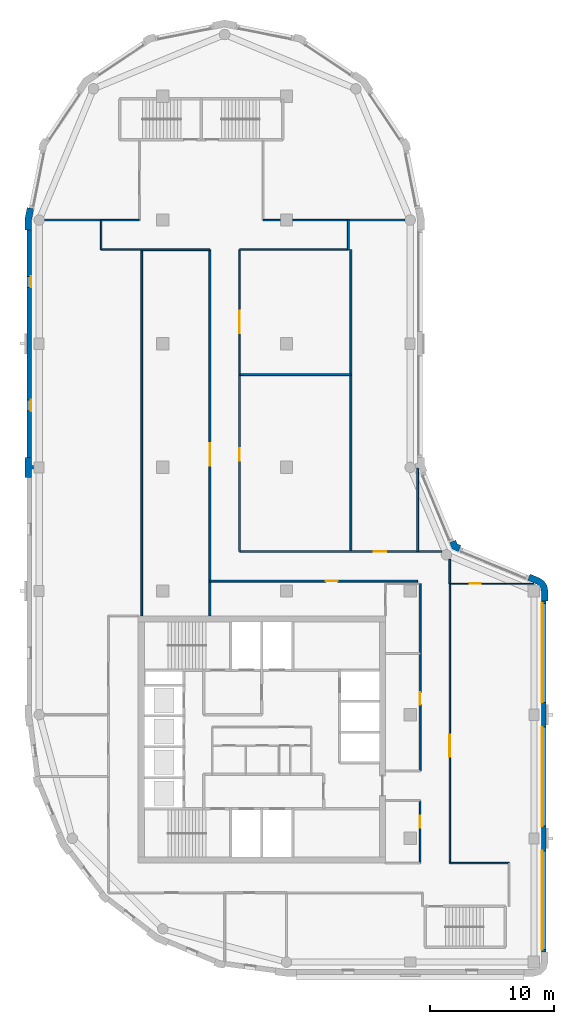
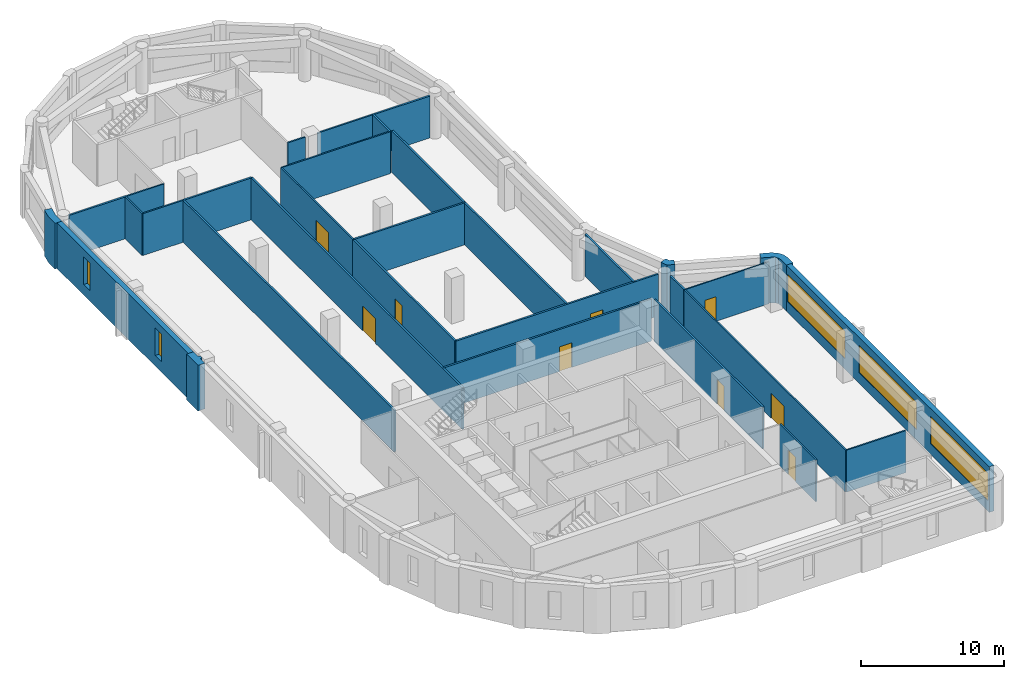
# One storey, part 4 of 8: 31 walls, 9 doors, 5 windows, 14 openings.
"""IFC4 building model written with IfcOpenShell, lengths in metres."""

from ifc_helpers import new_model, si_unit, direction, frame, frame_2d, origin, place, context, subcontext, project, spatial, polyline, rectangle, outline, extrude, material, layer, layer_set, type_object, element, fill, save


model = new_model("IFC4")

# Units and contexts
model_context = context("Model", 3, precision=1e-05, world=origin(), true_north=direction((0.0, 1.0)))
body_context = subcontext(model_context, "Body", "Model", "MODEL_VIEW")
ifc_project = project(units=[si_unit("LENGTHUNIT", "METRE"), si_unit("AREAUNIT", "SQUARE_METRE"), si_unit("VOLUMEUNIT", "CUBIC_METRE"), si_unit("PLANEANGLEUNIT", "RADIAN"), si_unit("MASSUNIT", "GRAM", prefix="KILO")], contexts=[model_context])

# Site, building, storey
site_placement = place(None, origin())
site = spatial("IfcSite", under=ifc_project, at=site_placement, CompositionType="ELEMENT")
building_placement = place(site_placement, origin())
building = spatial("IfcBuilding", under=site, at=building_placement, Name="Qaws Garden Tower", CompositionType="ELEMENT")
storey_placement = place(building_placement, frame((0.0, 0.0, 309.89990234375)))
storey = spatial("IfcBuildingStorey", under=building, at=storey_placement, Name="L75", CompositionType="ELEMENT", Elevation=309.89990234375)

# Wall
ifc_material_1 = material(Name="Buff clay facing brick masonry", Category="masonry")
ifc_layer_1 = layer(ifc_material_1, 0.550048828125)
ifc_layer_set_1 = layer_set([ifc_layer_1], Name="Buff clay facing brick masonry")
wall_type_1 = type_object("IfcWallType", Name="Buff brick corner pier 550 x 2400", PredefinedType="SOLIDWALL", material=ifc_layer_set_1)
placement = place(storey_placement, origin())
element("IfcWall", 1, at=placement, inside=storey, type_object=wall_type_1, Name="E-L75-pier-05", PredefinedType="SOLIDWALL", context=body_context, shape_type="SweptSolid", body=[
    extrude(outline(polyline([(41.0, 29.199951171875), (41.14990234375, 29.199951171875), (41.14990234375, 30.0), (41.0625, 30.440185546875), (40.813232421875, 30.813232421875), (40.440185546875, 31.0625), (39.700927734375, 31.36865234375), (39.6435546875, 31.22998046875), (39.490478515625, 30.860595703125), (40.2294921875, 30.554443359375), (40.42431640625, 30.42431640625), (40.554443359375, 30.2294921875), (40.60009765625, 30.0), (40.60009765625, 29.199951171875), (41.0, 29.199951171875)])), origin(), (0.0, 0.0, 1.0), 3.900146484375),
])

# Wall, openings, windows
ifc_material_2 = material(Name="Buff clay facing brick masonry", Category="masonry")
ifc_layer_2 = layer(ifc_material_2, 0.39990234375)
ifc_layer_set_2 = layer_set([ifc_layer_2], Name="Buff clay facing brick masonry")
wall_type_2 = type_object("IfcWallType", Name="Buff brick infill wall 400", PredefinedType="SOLIDWALL", material=ifc_layer_set_2)
wall_2_placement = place(storey_placement, frame((40.800048828125, 0.800048828125, 0.0), z_axis=(0.0, 0.0, 1.0), x_axis=(0.0, 1.0, 0.0)))
wall_2 = element("IfcWall", 2, at=wall_2_placement, inside=storey, type_object=wall_type_2, Name="E-L75-infill-02", PredefinedType="SOLIDWALL", context=body_context, shape_type="SweptSolid", body=[
    extrude(rectangle(XDim=28.39990234375, YDim=0.39990234375, at=frame_2d((14.199951171875, 0.0))), origin(), (0.0, 0.0, 1.0), 3.900146484375),
])
opening_1_placement = place(wall_2_placement, frame((0.199951171875, 0.0, 0.89990234375)))
opening_1 = element("IfcOpeningElement", 3, at=opening_1_placement, cuts=wall_2, Name="Opening W01", PredefinedType="OPENING", context=body_context, shape_type="SweptSolid", body=[
    extrude(rectangle(XDim=8.0, YDim=2.35009765625, at=frame_2d((4.0, 1.175048828125))), frame((0.0, 0.2099609375, 0.0), z_axis=(0.0, -1.0, 0.0), x_axis=(1.0, 0.0, 0.0)), (0.0, 0.0, 1.0), 0.419921875),
])
opening_2_placement = place(wall_2_placement, frame((10.199951171875, 0.0, 0.89990234375)))
opening_2 = element("IfcOpeningElement", 4, at=opening_2_placement, cuts=wall_2, Name="Opening W01", PredefinedType="OPENING", context=body_context, shape_type="SweptSolid", body=[
    extrude(rectangle(XDim=8.0, YDim=2.35009765625, at=frame_2d((4.0, 1.175048828125))), frame((0.0, 0.2099609375, 0.0), z_axis=(0.0, -1.0, 0.0), x_axis=(1.0, 0.0, 0.0)), (0.0, 0.0, 1.0), 0.419921875),
])
opening_3_placement = place(wall_2_placement, frame((20.199951171875, 0.0, 0.89990234375)))
opening_3 = element("IfcOpeningElement", 5, at=opening_3_placement, cuts=wall_2, Name="Opening W01", PredefinedType="OPENING", context=body_context, shape_type="SweptSolid", body=[
    extrude(rectangle(XDim=8.0, YDim=2.35009765625, at=frame_2d((4.0, 1.175048828125))), frame((0.0, 0.2099609375, 0.0), z_axis=(0.0, -1.0, 0.0), x_axis=(1.0, 0.0, 0.0)), (0.0, 0.0, 1.0), 0.419921875),
])
ifc_material_3 = material(Name="Aluminium framed window, clear glazing", Category="aluminium")
window_type_1 = type_object("IfcWindowType", Name="Ribbon window 8000 x 2350", PartitioningType="DOUBLE_PANEL_VERTICAL", PredefinedType="WINDOW", material=ifc_material_3)
window_1_placement = place(opening_1_placement, origin())
window_1 = element("IfcWindow", 6, at=window_1_placement, inside=storey, type_object=window_type_1, Name="E-L75-window-02-0", OverallHeight=2.35009765625, OverallWidth=8.0, PartitioningType="SINGLE_PANEL", PredefinedType="WINDOW", context=body_context, shape_type="SweptSolid", body=[
    extrude(rectangle(XDim=8.0, YDim=2.35009765625, at=frame_2d((4.0, 1.175048828125))), frame((0.0, 0.159912109375, 0.0), z_axis=(0.0, -1.0, 0.0), x_axis=(1.0, 0.0, 0.0)), (0.0, 0.0, 1.0), 0.06005859375),
])
fill(opening_1, window_1)
window_2_placement = place(opening_2_placement, origin())
window_2 = element("IfcWindow", 7, at=window_2_placement, inside=storey, type_object=window_type_1, Name="E-L75-window-03-0", OverallHeight=2.35009765625, OverallWidth=8.0, PartitioningType="SINGLE_PANEL", PredefinedType="WINDOW", context=body_context, shape_type="SweptSolid", body=[
    extrude(rectangle(XDim=8.0, YDim=2.35009765625, at=frame_2d((4.0, 1.175048828125))), frame((0.0, 0.159912109375, 0.0), z_axis=(0.0, -1.0, 0.0), x_axis=(1.0, 0.0, 0.0)), (0.0, 0.0, 1.0), 0.06005859375),
])
fill(opening_2, window_2)
window_3_placement = place(opening_3_placement, origin())
window_3 = element("IfcWindow", 8, at=window_3_placement, inside=storey, type_object=window_type_1, Name="E-L75-window-04-0", OverallHeight=2.35009765625, OverallWidth=8.0, PartitioningType="SINGLE_PANEL", PredefinedType="WINDOW", context=body_context, shape_type="SweptSolid", body=[
    extrude(rectangle(XDim=8.0, YDim=2.35009765625, at=frame_2d((4.0, 1.175048828125))), frame((0.0, 0.159912109375, 0.0), z_axis=(0.0, -1.0, 0.0), x_axis=(1.0, 0.0, 0.0)), (0.0, 0.0, 1.0), 0.06005859375),
])
fill(opening_3, window_3)

wall_3_placement = place(storey_placement, frame((-0.800048828125, 59.199951171875, 0.0), z_axis=(0.0, 0.0, 1.0), x_axis=(0.0, -1.0, 0.0)))
wall_3 = element("IfcWall", 9, at=wall_3_placement, inside=storey, type_object=wall_type_2, Name="E-L75-infill-17", PredefinedType="SOLIDWALL", context=body_context, shape_type="SweptSolid", body=[
    extrude(rectangle(XDim=18.39990234375, YDim=0.39990234375, at=frame_2d((9.199951171875, 0.0))), origin(), (0.0, 0.0, 1.0), 3.900146484375),
])
opening_4_placement = place(wall_3_placement, frame((3.75, 0.0, 0.89990234375)))
opening_4 = element("IfcOpeningElement", 10, at=opening_4_placement, cuts=wall_3, Name="Opening W09", PredefinedType="OPENING", context=body_context, shape_type="SweptSolid", body=[
    extrude(rectangle(XDim=0.89990234375, YDim=2.35009765625, at=frame_2d((0.449951171875, 1.175048828125))), frame((0.0, 0.2099609375, 0.0), z_axis=(0.0, -1.0, 0.0), x_axis=(1.0, 0.0, 0.0)), (0.0, 0.0, 1.0), 0.419921875),
])
opening_5_placement = place(wall_3_placement, frame((13.75, 0.0, 0.89990234375)))
opening_5 = element("IfcOpeningElement", 11, at=opening_5_placement, cuts=wall_3, Name="Opening W09", PredefinedType="OPENING", context=body_context, shape_type="SweptSolid", body=[
    extrude(rectangle(XDim=0.89990234375, YDim=2.35009765625, at=frame_2d((0.449951171875, 1.175048828125))), frame((0.0, 0.2099609375, 0.0), z_axis=(0.0, -1.0, 0.0), x_axis=(1.0, 0.0, 0.0)), (0.0, 0.0, 1.0), 0.419921875),
])
ifc_material_4 = material(Name="Aluminium framed window, clear glazing", Category="aluminium")
window_type_2 = type_object("IfcWindowType", Name="Slit window 900 x 2350", PartitioningType="SINGLE_PANEL", PredefinedType="WINDOW", material=ifc_material_4)
window_4_placement = place(opening_4_placement, origin())
window_4 = element("IfcWindow", 12, at=window_4_placement, inside=storey, type_object=window_type_2, Name="E-L75-window-17-0", OverallHeight=2.35009765625, OverallWidth=0.89990234375, PartitioningType="SINGLE_PANEL", PredefinedType="WINDOW", context=body_context, shape_type="SweptSolid", body=[
    extrude(rectangle(XDim=0.89990234375, YDim=2.35009765625, at=frame_2d((0.449951171875, 1.175048828125))), frame((0.0, 0.159912109375, 0.0), z_axis=(0.0, -1.0, 0.0), x_axis=(1.0, 0.0, 0.0)), (0.0, 0.0, 1.0), 0.06005859375),
])
fill(opening_4, window_4)
window_5_placement = place(opening_5_placement, origin())
window_5 = element("IfcWindow", 13, at=window_5_placement, inside=storey, type_object=window_type_2, Name="E-L75-window-18-0", OverallHeight=2.35009765625, OverallWidth=0.89990234375, PartitioningType="SINGLE_PANEL", PredefinedType="WINDOW", context=body_context, shape_type="SweptSolid", body=[
    extrude(rectangle(XDim=0.89990234375, YDim=2.35009765625, at=frame_2d((0.449951171875, 1.175048828125))), frame((0.0, 0.159912109375, 0.0), z_axis=(0.0, -1.0, 0.0), x_axis=(1.0, 0.0, 0.0)), (0.0, 0.0, 1.0), 0.06005859375),
])
fill(opening_5, window_5)

# Walls
ifc_material_5 = material(Name="Buff clay facing brick masonry", Category="masonry")
ifc_layer_3 = layer(ifc_material_5, 0.550048828125)
ifc_layer_set_3 = layer_set([ifc_layer_3], Name="Buff clay facing brick masonry")
wall_type_3 = type_object("IfcWallType", Name="Buff brick pier 550 x 1600", PredefinedType="SOLIDWALL", material=ifc_layer_set_3)
element("IfcWall", 14, at=placement, inside=storey, type_object=wall_type_3, Name="E-L75-pier-06", PredefinedType="SOLIDWALL", context=body_context, shape_type="SweptSolid", body=[
    extrude(outline(polyline([(34.05078125, 33.546630859375), (34.108154296875, 33.685302734375), (33.80908203125, 33.80908203125), (33.685302734375, 34.108154296875), (33.546630859375, 34.05078125), (33.177001953125, 33.897705078125), (33.38818359375, 33.38818359375), (33.897705078125, 33.177001953125), (34.05078125, 33.546630859375)])), origin(), (0.0, 0.0, 1.0), 3.900146484375),
])
element("IfcWall", 15, at=placement, inside=storey, type_object=wall_type_3, Name="E-L75-pier-17", PredefinedType="SOLIDWALL", context=body_context, shape_type="SweptSolid", body=[
    extrude(outline(polyline([(-0.82470703125, 60.979736328125), (-0.971923828125, 61.009033203125), (-1.14990234375, 60.11328125), (-1.14990234375, 59.199951171875), (-1.0, 59.199951171875), (-0.60009765625, 59.199951171875), (-0.60009765625, 60.05908203125), (-0.432373046875, 60.901611328125), (-0.82470703125, 60.979736328125)])), origin(), (0.0, 0.0, 1.0), 3.900146484375),
])
element("IfcWall", 16, at=placement, inside=storey, type_object=wall_type_3, Name="E-L75-pier-19", PredefinedType="SOLIDWALL", context=body_context, shape_type="SweptSolid", body=[
    extrude(outline(polyline([(-0.60009765625, 39.199951171875), (-0.60009765625, 39.85009765625), (-0.449951171875, 39.85009765625), (-0.449951171875, 40.14990234375), (-0.60009765625, 40.14990234375), (-0.60009765625, 40.800048828125), (-1.0, 40.800048828125), (-1.14990234375, 40.800048828125), (-1.14990234375, 40.0), (-1.14990234375, 39.199951171875), (-1.0, 39.199951171875), (-0.60009765625, 39.199951171875)])), origin(), (0.0, 0.0, 1.0), 3.900146484375),
])
ifc_material_6 = material(Name="Glass and aluminium framing", Category="aluminium")
ifc_layer_4 = layer(ifc_material_6, 0.1201171875)
ifc_layer_set_4 = layer_set([ifc_layer_4], Name="Glass and aluminium framing")
wall_type_4 = type_object("IfcWallType", Name="GLAZED PARTITION 120 EI 30", PredefinedType="PARTITIONING", material=ifc_layer_set_4)
wall_7_placement = place(storey_placement, frame((5.0, 57.60009765625, 0.0), z_axis=(0.0, 0.0, 1.0), x_axis=(0.0, 1.0, 0.0)))
element("IfcWall", 17, at=wall_7_placement, inside=storey, type_object=wall_type_4, Name="O-L75-wall-026", PredefinedType="PARTITIONING", context=body_context, shape_type="SweptSolid", body=[
    extrude(rectangle(XDim=2.39990234375, YDim=0.1201171875, at=frame_2d((1.199951171875, 0.0))), origin(), (0.0, 0.0, 1.0), 3.580078125),
])

# Wall, opening, door
wall_8_placement = place(storey_placement, frame((16.199951171875, 47.5, 0.0), z_axis=(0.0, 0.0, 1.0), x_axis=(0.0, 1.0, 0.0)))
wall_8 = element("IfcWall", 18, at=wall_8_placement, inside=storey, type_object=wall_type_4, Name="O-L75-wall-030", PredefinedType="PARTITIONING", context=body_context, shape_type="SweptSolid", body=[
    extrude(rectangle(XDim=10.10009765625, YDim=0.1201171875, at=frame_2d((5.050048828125, 0.0))), origin(), (0.0, 0.0, 1.0), 3.580078125),
])
opening_6_placement = place(wall_8_placement, frame((3.35009765625, 0.0, 0.0)))
opening_6 = element("IfcOpeningElement", 19, at=opening_6_placement, cuts=wall_8, Name="Opening C704", PredefinedType="OPENING", context=body_context, shape_type="SweptSolid", body=[
    extrude(rectangle(XDim=1.800048828125, YDim=2.10009765625, at=frame_2d((0.89990234375, 1.050048828125))), frame((0.0, 0.070068359375, 0.0), z_axis=(0.0, -1.0, 0.0), x_axis=(1.0, 0.0, 0.0)), (0.0, 0.0, 1.0), 0.14013671875),
])
ifc_material_7 = material(Name="Timber door leaf", Category="wood")
door_type_1 = type_object("IfcDoorType", Name="DOUBLE DOOR 1800 X 2100", OperationType="DOUBLE_DOOR_SINGLE_SWING", PredefinedType="DOOR", material=ifc_material_7)
door_1_placement = place(opening_6_placement, frame((1.800048828125, 0.0, 0.0), z_axis=(0.0, 0.0, 1.0), x_axis=(-1.0, 0.0, 0.0)))
door_1 = element("IfcDoor", 20, at=door_1_placement, inside=storey, type_object=door_type_1, Name="O-L75-door-004", OperationType="DOUBLE_DOOR_SINGLE_SWING", OverallHeight=2.10009765625, OverallWidth=1.800048828125, PredefinedType="DOOR", context=body_context, shape_type="SweptSolid", body=[
    extrude(rectangle(XDim=1.800048828125, YDim=2.10009765625, at=frame_2d((0.89990234375, 1.050048828125))), frame((0.0, 0.02490234375, 0.0), z_axis=(0.0, -1.0, 0.0), x_axis=(1.0, 0.0, 0.0)), (0.0, 0.0, 1.0), 0.050048828125),
])
fill(opening_6, door_1)

wall_9_placement = place(storey_placement, frame((30.800048828125, 8.0, 0.0), z_axis=(0.0, 0.0, 1.0), x_axis=(0.0, 1.0, 0.0)))
wall_9 = element("IfcWall", 21, at=wall_9_placement, inside=storey, type_object=wall_type_4, Name="O-L75-wall-032", PredefinedType="PARTITIONING", context=body_context, shape_type="SweptSolid", body=[
    extrude(rectangle(XDim=5.050048828125, YDim=0.1201171875, at=frame_2d((2.52490234375, 0.0))), origin(), (0.0, 0.0, 1.0), 3.580078125),
])
opening_7_placement = place(wall_9_placement, frame((2.85009765625, 0.0, 0.0)))
opening_7 = element("IfcOpeningElement", 22, at=opening_7_placement, cuts=wall_9, Name="Opening C711", PredefinedType="OPENING", context=body_context, shape_type="SweptSolid", body=[
    extrude(rectangle(XDim=1.0, YDim=2.10009765625, at=frame_2d((0.5, 1.050048828125))), frame((0.0, 0.070068359375, 0.0), z_axis=(0.0, -1.0, 0.0), x_axis=(1.0, 0.0, 0.0)), (0.0, 0.0, 1.0), 0.14013671875),
])
ifc_material_8 = material(Name="Timber door leaf", Category="wood")
door_type_2 = type_object("IfcDoorType", Name="TENANCY ENTRANCE DOOR 1000 X 2100", OperationType="SINGLE_SWING_LEFT", PredefinedType="DOOR", material=ifc_material_8)
door_2_placement = place(opening_7_placement, origin())
door_2 = element("IfcDoor", 23, at=door_2_placement, inside=storey, type_object=door_type_2, Name="O-L75-door-011", OperationType="SINGLE_SWING_RIGHT", OverallHeight=2.10009765625, OverallWidth=1.0, PredefinedType="DOOR", context=body_context, shape_type="SweptSolid", body=[
    extrude(rectangle(XDim=1.0, YDim=2.10009765625, at=frame_2d((0.5, 1.050048828125))), frame((0.0, 0.02490234375, 0.0), z_axis=(0.0, -1.0, 0.0), x_axis=(1.0, 0.0, 0.0)), (0.0, 0.0, 1.0), 0.050048828125),
])
fill(opening_7, door_2)

wall_10_placement = place(storey_placement, frame((33.199951171875, 8.0, 0.0), z_axis=(0.0, 0.0, 1.0), x_axis=(0.0, 1.0, 0.0)))
wall_10 = element("IfcWall", 24, at=wall_10_placement, inside=storey, type_object=wall_type_4, Name="O-L75-wall-034", PredefinedType="PARTITIONING", context=body_context, shape_type="SweptSolid", body=[
    extrude(rectangle(XDim=22.60009765625, YDim=0.1201171875, at=frame_2d((11.300048828125, 0.0))), origin(), (0.0, 0.0, 1.0), 3.580078125),
])
opening_8_placement = place(wall_10_placement, frame((8.60009765625, 0.0, 0.0)))
opening_8 = element("IfcOpeningElement", 25, at=opening_8_placement, cuts=wall_10, Name="Opening C712", PredefinedType="OPENING", context=body_context, shape_type="SweptSolid", body=[
    extrude(rectangle(XDim=1.800048828125, YDim=2.10009765625, at=frame_2d((0.89990234375, 1.050048828125))), frame((0.0, 0.070068359375, 0.0), z_axis=(0.0, -1.0, 0.0), x_axis=(1.0, 0.0, 0.0)), (0.0, 0.0, 1.0), 0.14013671875),
])
door_3_placement = place(opening_8_placement, frame((1.800048828125, 0.0, 0.0), z_axis=(0.0, 0.0, 1.0), x_axis=(-1.0, 0.0, 0.0)))
door_3 = element("IfcDoor", 26, at=door_3_placement, inside=storey, type_object=door_type_1, Name="O-L75-door-012", OperationType="DOUBLE_DOOR_SINGLE_SWING", OverallHeight=2.10009765625, OverallWidth=1.800048828125, PredefinedType="DOOR", context=body_context, shape_type="SweptSolid", body=[
    extrude(rectangle(XDim=1.800048828125, YDim=2.10009765625, at=frame_2d((0.89990234375, 1.050048828125))), frame((0.0, 0.02490234375, 0.0), z_axis=(0.0, -1.0, 0.0), x_axis=(1.0, 0.0, 0.0)), (0.0, 0.0, 1.0), 0.050048828125),
])
fill(opening_8, door_3)

# Walls
wall_11_placement = place(storey_placement, frame((33.199951171875, 8.0, 0.0), z_axis=(0.0, 0.0, 1.0), x_axis=(1.0, 0.0, 0.0)))
element("IfcWall", 27, at=wall_11_placement, inside=storey, type_object=wall_type_4, Name="O-L75-wall-039", PredefinedType="PARTITIONING", context=body_context, shape_type="SweptSolid", body=[
    extrude(rectangle(XDim=4.800048828125, YDim=0.1201171875, at=frame_2d((2.39990234375, 0.0))), origin(), (0.0, 0.0, 1.0), 3.580078125),
])
wall_12_placement = place(storey_placement, frame((5.0, 57.60009765625, 0.0), z_axis=(0.0, 0.0, 1.0), x_axis=(1.0, 0.0, 0.0)))
element("IfcWall", 28, at=wall_12_placement, inside=storey, type_object=wall_type_4, Name="O-L75-wall-042", PredefinedType="PARTITIONING", context=body_context, shape_type="SweptSolid", body=[
    extrude(rectangle(XDim=3.300048828125, YDim=0.1201171875, at=frame_2d((1.64990234375, 0.0))), origin(), (0.0, 0.0, 1.0), 3.580078125),
])
wall_13_placement = place(storey_placement, frame((16.199951171875, 57.60009765625, 0.0), z_axis=(0.0, 0.0, 1.0), x_axis=(1.0, 0.0, 0.0)))
element("IfcWall", 29, at=wall_13_placement, inside=storey, type_object=wall_type_4, Name="O-L75-wall-043", PredefinedType="PARTITIONING", context=body_context, shape_type="SweptSolid", body=[
    extrude(rectangle(XDim=8.800048828125, YDim=0.1201171875, at=frame_2d((4.39990234375, 0.0))), origin(), (0.0, 0.0, 1.0), 3.580078125),
])
wall_14_placement = place(storey_placement, frame((5.0, 60.0, 0.0), z_axis=(0.0, 0.0, 1.0), x_axis=(1.0, 0.0, 0.0)))
element("IfcWall", 30, at=wall_14_placement, inside=storey, type_object=wall_type_4, Name="O-L75-wall-044", PredefinedType="PARTITIONING", context=body_context, shape_type="SweptSolid", body=[
    extrude(rectangle(XDim=3.10009765625, YDim=0.1201171875, at=frame_2d((1.550048828125, 0.0))), origin(), (0.0, 0.0, 1.0), 3.580078125),
])
wall_15_placement = place(storey_placement, frame((18.10009765625, 60.0, 0.0), z_axis=(0.0, 0.0, 1.0), x_axis=(1.0, 0.0, 0.0)))
element("IfcWall", 31, at=wall_15_placement, inside=storey, type_object=wall_type_4, Name="O-L75-wall-045", PredefinedType="PARTITIONING", context=body_context, shape_type="SweptSolid", body=[
    extrude(rectangle(XDim=1.39990234375, YDim=0.1201171875, at=frame_2d((0.699951171875, 0.0))), origin(), (0.0, 0.0, 1.0), 3.580078125),
])
wall_16_placement = place(storey_placement, frame((20.5, 60.0, 0.0), z_axis=(0.0, 0.0, 1.0), x_axis=(1.0, 0.0, 0.0)))
element("IfcWall", 32, at=wall_16_placement, inside=storey, type_object=wall_type_4, Name="O-L75-wall-046", PredefinedType="PARTITIONING", context=body_context, shape_type="SweptSolid", body=[
    extrude(rectangle(XDim=4.5, YDim=0.1201171875, at=frame_2d((2.25, 0.0))), origin(), (0.0, 0.0, 1.0), 3.580078125),
])

# Wall, opening, door
ifc_material_9 = material(Name="Gypsum board partition")
ifc_layer_5 = layer(ifc_material_9, 0.10009765625)
ifc_layer_set_5 = layer_set([ifc_layer_5], Name="Gypsum board partition")
wall_type_5 = type_object("IfcWallType", Name="PARTITION 100", PredefinedType="PARTITIONING", material=ifc_layer_set_5)
wall_17_placement = place(storey_placement, frame((33.199951171875, 30.60009765625, 0.0), z_axis=(0.0, 0.0, 1.0), x_axis=(1.0, 0.0, 0.0)))
wall_17 = element("IfcWall", 33, at=wall_17_placement, inside=storey, type_object=wall_type_5, Name="O-L75-wall-003", PredefinedType="PARTITIONING", context=body_context, shape_type="SweptSolid", body=[
    extrude(rectangle(XDim=6.798583984375, YDim=0.10009765625, at=frame_2d((3.3994140625, 0.0))), origin(), (0.0, 0.0, 1.0), 3.580078125),
])
opening_9_placement = place(wall_17_placement, frame((1.60009765625, 0.0, 0.0)))
opening_9 = element("IfcOpeningElement", 34, at=opening_9_placement, cuts=wall_17, Name="Opening C715", PredefinedType="OPENING", context=body_context, shape_type="SweptSolid", body=[
    extrude(rectangle(XDim=0.89990234375, YDim=2.10009765625, at=frame_2d((0.449951171875, 1.050048828125))), frame((0.0, 0.06005859375, 0.0), z_axis=(0.0, -1.0, 0.0), x_axis=(1.0, 0.0, 0.0)), (0.0, 0.0, 1.0), 0.1201171875),
])
ifc_material_10 = material(Name="Timber door leaf", Category="wood")
door_type_3 = type_object("IfcDoorType", Name="OFFICE DOOR 900 X 2100", OperationType="SINGLE_SWING_LEFT", PredefinedType="DOOR", material=ifc_material_10)
door_4_placement = place(opening_9_placement, origin())
door_4 = element("IfcDoor", 35, at=door_4_placement, inside=storey, type_object=door_type_3, Name="O-L75-door-015", OperationType="SINGLE_SWING_LEFT", OverallHeight=2.10009765625, OverallWidth=0.89990234375, PredefinedType="DOOR", context=body_context, shape_type="SweptSolid", body=[
    extrude(rectangle(XDim=0.89990234375, YDim=2.10009765625, at=frame_2d((0.449951171875, 1.050048828125))), frame((0.0, 0.02490234375, 0.0), z_axis=(0.0, -1.0, 0.0), x_axis=(1.0, 0.0, 0.0)), (0.0, 0.0, 1.0), 0.050048828125),
])
fill(opening_9, door_4)

# Wall
ifc_material_11 = material(Name="Gypsum board partition")
ifc_layer_6 = layer(ifc_material_11, 0.14990234375)
ifc_layer_set_6 = layer_set([ifc_layer_6], Name="Gypsum board partition")
wall_type_6 = type_object("IfcWallType", Name="PARTITION 150 EI 60", PredefinedType="PARTITIONING", material=ifc_layer_set_6)
wall_18_placement = place(storey_placement, frame((8.300048828125, 28.0, 0.0), z_axis=(0.0, 0.0, 1.0), x_axis=(0.0, 1.0, 0.0)))
element("IfcWall", 36, at=wall_18_placement, inside=storey, type_object=wall_type_6, Name="O-L75-wall-005", PredefinedType="PARTITIONING", context=body_context, shape_type="SweptSolid", body=[
    extrude(rectangle(XDim=29.60009765625, YDim=0.14990234375, at=frame_2d((14.800048828125, 0.0))), origin(), (0.0, 0.0, 1.0), 3.580078125),
])

# Wall, opening, door
wall_19_placement = place(storey_placement, frame((13.800048828125, 28.0, 0.0), z_axis=(0.0, 0.0, 1.0), x_axis=(0.0, 1.0, 0.0)))
wall_19 = element("IfcWall", 37, at=wall_19_placement, inside=storey, type_object=wall_type_6, Name="O-L75-wall-006", PredefinedType="PARTITIONING", context=body_context, shape_type="SweptSolid", body=[
    extrude(rectangle(XDim=29.60009765625, YDim=0.14990234375, at=frame_2d((14.800048828125, 0.0))), origin(), (0.0, 0.0, 1.0), 3.580078125),
])
opening_10_placement = place(wall_19_placement, frame((12.14990234375, 0.0, 0.0)))
opening_10 = element("IfcOpeningElement", 38, at=opening_10_placement, cuts=wall_19, Name="Opening C713", PredefinedType="OPENING", context=body_context, shape_type="SweptSolid", body=[
    extrude(rectangle(XDim=1.800048828125, YDim=2.10009765625, at=frame_2d((0.89990234375, 1.050048828125))), frame((0.0, 0.0849609375, 0.0), z_axis=(0.0, -1.0, 0.0), x_axis=(1.0, 0.0, 0.0)), (0.0, 0.0, 1.0), 0.169921875),
])
door_5_placement = place(opening_10_placement, origin())
door_5 = element("IfcDoor", 39, at=door_5_placement, inside=storey, type_object=door_type_1, Name="O-L75-door-013", OperationType="DOUBLE_DOOR_SINGLE_SWING", OverallHeight=2.10009765625, OverallWidth=1.800048828125, PredefinedType="DOOR", context=body_context, shape_type="SweptSolid", body=[
    extrude(rectangle(XDim=1.800048828125, YDim=2.10009765625, at=frame_2d((0.89990234375, 1.050048828125))), frame((0.0, 0.02490234375, 0.0), z_axis=(0.0, -1.0, 0.0), x_axis=(1.0, 0.0, 0.0)), (0.0, 0.0, 1.0), 0.050048828125),
])
fill(opening_10, door_5)

wall_20_placement = place(storey_placement, frame((16.199951171875, 33.199951171875, 0.0), z_axis=(0.0, 0.0, 1.0), x_axis=(0.0, 1.0, 0.0)))
wall_20 = element("IfcWall", 40, at=wall_20_placement, inside=storey, type_object=wall_type_6, Name="O-L75-wall-008", PredefinedType="PARTITIONING", context=body_context, shape_type="SweptSolid", body=[
    extrude(rectangle(XDim=14.300048828125, YDim=0.14990234375, at=frame_2d((7.14990234375, 0.0))), origin(), (0.0, 0.0, 1.0), 3.580078125),
])
opening_11_placement = place(wall_20_placement, frame((7.35009765625, 0.0, 0.0)))
opening_11 = element("IfcOpeningElement", 41, at=opening_11_placement, cuts=wall_20, Name="Opening C703", PredefinedType="OPENING", context=body_context, shape_type="SweptSolid", body=[
    extrude(rectangle(XDim=1.0, YDim=2.10009765625, at=frame_2d((0.5, 1.050048828125))), frame((0.0, 0.0849609375, 0.0), z_axis=(0.0, -1.0, 0.0), x_axis=(1.0, 0.0, 0.0)), (0.0, 0.0, 1.0), 0.169921875),
])
door_6_placement = place(opening_11_placement, frame((1.0, 0.0, 0.0), z_axis=(0.0, 0.0, 1.0), x_axis=(-1.0, 0.0, 0.0)))
door_6 = element("IfcDoor", 42, at=door_6_placement, inside=storey, type_object=door_type_2, Name="O-L75-door-003", OperationType="SINGLE_SWING_RIGHT", OverallHeight=2.10009765625, OverallWidth=1.0, PredefinedType="DOOR", context=body_context, shape_type="SweptSolid", body=[
    extrude(rectangle(XDim=1.0, YDim=2.10009765625, at=frame_2d((0.5, 1.050048828125))), frame((0.0, 0.02490234375, 0.0), z_axis=(0.0, -1.0, 0.0), x_axis=(1.0, 0.0, 0.0)), (0.0, 0.0, 1.0), 0.050048828125),
])
fill(opening_11, door_6)

# Walls
wall_21_placement = place(storey_placement, frame((25.0, 57.60009765625, 0.0), z_axis=(0.0, 0.0, 1.0), x_axis=(0.0, 1.0, 0.0)))
element("IfcWall", 43, at=wall_21_placement, inside=storey, type_object=wall_type_6, Name="O-L75-wall-010", PredefinedType="PARTITIONING", context=body_context, shape_type="SweptSolid", body=[
    extrude(rectangle(XDim=2.39990234375, YDim=0.14990234375, at=frame_2d((1.199951171875, 0.0))), origin(), (0.0, 0.0, 1.0), 3.580078125),
])
wall_22_placement = place(storey_placement, frame((25.199951171875, 33.199951171875, 0.0), z_axis=(0.0, 0.0, 1.0), x_axis=(0.0, 1.0, 0.0)))
element("IfcWall", 44, at=wall_22_placement, inside=storey, type_object=wall_type_6, Name="O-L75-wall-011", PredefinedType="PARTITIONING", context=body_context, shape_type="SweptSolid", body=[
    extrude(rectangle(XDim=24.400146484375, YDim=0.14990234375, at=frame_2d((12.2001953125, 0.0))), origin(), (0.0, 0.0, 1.0), 3.580078125),
])
wall_23_placement = place(storey_placement, frame((30.60009765625, 33.199951171875, 0.0), z_axis=(0.0, 0.0, 1.0), x_axis=(0.0, 1.0, 0.0)))
element("IfcWall", 45, at=wall_23_placement, inside=storey, type_object=wall_type_6, Name="O-L75-wall-012", PredefinedType="PARTITIONING", context=body_context, shape_type="SweptSolid", body=[
    extrude(rectangle(XDim=6.73828125, YDim=0.14990234375, at=frame_2d((3.369140625, 0.0))), origin(), (0.0, 0.0, 1.0), 3.580078125),
])

# Wall, opening, door
wall_24_placement = place(storey_placement, frame((30.800048828125, 15.449951171875, 0.0), z_axis=(0.0, 0.0, 1.0), x_axis=(0.0, 1.0, 0.0)))
wall_24 = element("IfcWall", 46, at=wall_24_placement, inside=storey, type_object=wall_type_6, Name="O-L75-wall-013", PredefinedType="PARTITIONING", context=body_context, shape_type="SweptSolid", body=[
    extrude(rectangle(XDim=15.150146484375, YDim=0.14990234375, at=frame_2d((7.5751953125, 0.0))), origin(), (0.0, 0.0, 1.0), 3.580078125),
])
opening_12_placement = place(wall_24_placement, frame((5.35009765625, 0.0, 0.0)))
opening_12 = element("IfcOpeningElement", 47, at=opening_12_placement, cuts=wall_24, Name="Opening C710", PredefinedType="OPENING", context=body_context, shape_type="SweptSolid", body=[
    extrude(rectangle(XDim=1.0, YDim=2.10009765625, at=frame_2d((0.5, 1.050048828125))), frame((0.0, 0.0849609375, 0.0), z_axis=(0.0, -1.0, 0.0), x_axis=(1.0, 0.0, 0.0)), (0.0, 0.0, 1.0), 0.169921875),
])
door_7_placement = place(opening_12_placement, origin())
door_7 = element("IfcDoor", 48, at=door_7_placement, inside=storey, type_object=door_type_2, Name="O-L75-door-010", OperationType="SINGLE_SWING_RIGHT", OverallHeight=2.10009765625, OverallWidth=1.0, PredefinedType="DOOR", context=body_context, shape_type="SweptSolid", body=[
    extrude(rectangle(XDim=1.0, YDim=2.10009765625, at=frame_2d((0.5, 1.050048828125))), frame((0.0, 0.02490234375, 0.0), z_axis=(0.0, -1.0, 0.0), x_axis=(1.0, 0.0, 0.0)), (0.0, 0.0, 1.0), 0.050048828125),
])
fill(opening_12, door_7)

# Wall
wall_25_placement = place(storey_placement, frame((33.199951171875, 30.60009765625, 0.0), z_axis=(0.0, 0.0, 1.0), x_axis=(0.0, 1.0, 0.0)))
element("IfcWall", 49, at=wall_25_placement, inside=storey, type_object=wall_type_6, Name="O-L75-wall-014", PredefinedType="PARTITIONING", context=body_context, shape_type="SweptSolid", body=[
    extrude(rectangle(XDim=1.951904296875, YDim=0.14990234375, at=frame_2d((0.97607421875, 0.0))), origin(), (0.0, 0.0, 1.0), 3.580078125),
])

# Wall, opening, door
wall_26_placement = place(storey_placement, frame((13.802001953125, 30.800048828125, 0.0), z_axis=(0.0, 0.0, 1.0), x_axis=(1.0, 0.0, 0.0)))
wall_26 = element("IfcWall", 50, at=wall_26_placement, inside=storey, type_object=wall_type_6, Name="O-L75-wall-020", PredefinedType="PARTITIONING", context=body_context, shape_type="SweptSolid", body=[
    extrude(rectangle(XDim=16.797119140625, YDim=0.14990234375, at=frame_2d((8.3984375, 0.0))), origin(), (0.0, 0.0, 1.0), 3.580078125),
])
opening_13_placement = place(wall_26_placement, frame((9.35009765625, 0.0, 0.0)))
opening_13 = element("IfcOpeningElement", 51, at=opening_13_placement, cuts=wall_26, Name="Opening C707", PredefinedType="OPENING", context=body_context, shape_type="SweptSolid", body=[
    extrude(rectangle(XDim=1.0, YDim=2.10009765625, at=frame_2d((0.5, 1.050048828125))), frame((0.0, 0.0849609375, 0.0), z_axis=(0.0, -1.0, 0.0), x_axis=(1.0, 0.0, 0.0)), (0.0, 0.0, 1.0), 0.169921875),
])
door_8_placement = place(opening_13_placement, frame((1.0, 0.0, 0.0), z_axis=(0.0, 0.0, 1.0), x_axis=(-1.0, 0.0, 0.0)))
door_8 = element("IfcDoor", 52, at=door_8_placement, inside=storey, type_object=door_type_2, Name="O-L75-door-007", OperationType="SINGLE_SWING_LEFT", OverallHeight=2.10009765625, OverallWidth=1.0, PredefinedType="DOOR", context=body_context, shape_type="SweptSolid", body=[
    extrude(rectangle(XDim=1.0, YDim=2.10009765625, at=frame_2d((0.5, 1.050048828125))), frame((0.0, 0.02490234375, 0.0), z_axis=(0.0, -1.0, 0.0), x_axis=(1.0, 0.0, 0.0)), (0.0, 0.0, 1.0), 0.050048828125),
])
fill(opening_13, door_8)

wall_27_placement = place(storey_placement, frame((16.199951171875, 33.199951171875, 0.0), z_axis=(0.0, 0.0, 1.0), x_axis=(1.0, 0.0, 0.0)))
wall_27 = element("IfcWall", 53, at=wall_27_placement, inside=storey, type_object=wall_type_6, Name="O-L75-wall-021", PredefinedType="PARTITIONING", context=body_context, shape_type="SweptSolid", body=[
    extrude(rectangle(XDim=16.35205078125, YDim=0.14990234375, at=frame_2d((8.176025390625, 0.0))), origin(), (0.0, 0.0, 1.0), 3.580078125),
])
opening_14_placement = place(wall_27_placement, frame((10.85009765625, 0.0, 0.0)))
opening_14 = element("IfcOpeningElement", 54, at=opening_14_placement, cuts=wall_27, Name="Opening C705", PredefinedType="OPENING", context=body_context, shape_type="SweptSolid", body=[
    extrude(rectangle(XDim=1.0, YDim=2.10009765625, at=frame_2d((0.5, 1.050048828125))), frame((0.0, 0.0849609375, 0.0), z_axis=(0.0, -1.0, 0.0), x_axis=(1.0, 0.0, 0.0)), (0.0, 0.0, 1.0), 0.169921875),
])
door_9_placement = place(opening_14_placement, origin())
door_9 = element("IfcDoor", 55, at=door_9_placement, inside=storey, type_object=door_type_2, Name="O-L75-door-005", OperationType="SINGLE_SWING_RIGHT", OverallHeight=2.10009765625, OverallWidth=1.0, PredefinedType="DOOR", context=body_context, shape_type="SweptSolid", body=[
    extrude(rectangle(XDim=1.0, YDim=2.10009765625, at=frame_2d((0.5, 1.050048828125))), frame((0.0, 0.02490234375, 0.0), z_axis=(0.0, -1.0, 0.0), x_axis=(1.0, 0.0, 0.0)), (0.0, 0.0, 1.0), 0.050048828125),
])
fill(opening_14, door_9)

# Walls
wall_28_placement = place(storey_placement, frame((16.199951171875, 47.5, 0.0), z_axis=(0.0, 0.0, 1.0), x_axis=(1.0, 0.0, 0.0)))
element("IfcWall", 56, at=wall_28_placement, inside=storey, type_object=wall_type_6, Name="O-L75-wall-022", PredefinedType="PARTITIONING", context=body_context, shape_type="SweptSolid", body=[
    extrude(rectangle(XDim=9.0, YDim=0.14990234375, at=frame_2d((4.5, 0.0))), origin(), (0.0, 0.0, 1.0), 3.580078125),
])
wall_29_placement = place(storey_placement, frame((8.300048828125, 57.60009765625, 0.0), z_axis=(0.0, 0.0, 1.0), x_axis=(1.0, 0.0, 0.0)))
element("IfcWall", 57, at=wall_29_placement, inside=storey, type_object=wall_type_6, Name="O-L75-wall-023", PredefinedType="PARTITIONING", context=body_context, shape_type="SweptSolid", body=[
    extrude(rectangle(XDim=5.5, YDim=0.14990234375, at=frame_2d((2.75, 0.0))), origin(), (0.0, 0.0, 1.0), 3.580078125),
])
for number, where, z_axis, x_axis, name in (
    (58, (0.425048828125, 60.0, 0.0), (0.0, 0.0, 1.0), (1.0, 0.0, 0.0), "O-L75-wall-024"),
    (59, (25.0, 60.0, 0.0), (0.0, 0.0, 1.0), (1.0, 0.0, 0.0), "O-L75-wall-025"),
):
    element("IfcWall", number, at=place(storey_placement, frame(where, z_axis=z_axis, x_axis=x_axis)), inside=storey, type_object=wall_type_6, Name=name, PredefinedType="PARTITIONING", context=body_context, shape_type="SweptSolid", body=[
        extrude(rectangle(XDim=4.574951171875, YDim=0.14990234375, at=frame_2d((2.28759765625, 0.0))), origin(), (0.0, 0.0, 1.0), 3.580078125),
    ])

save(model, "model.ifc")
